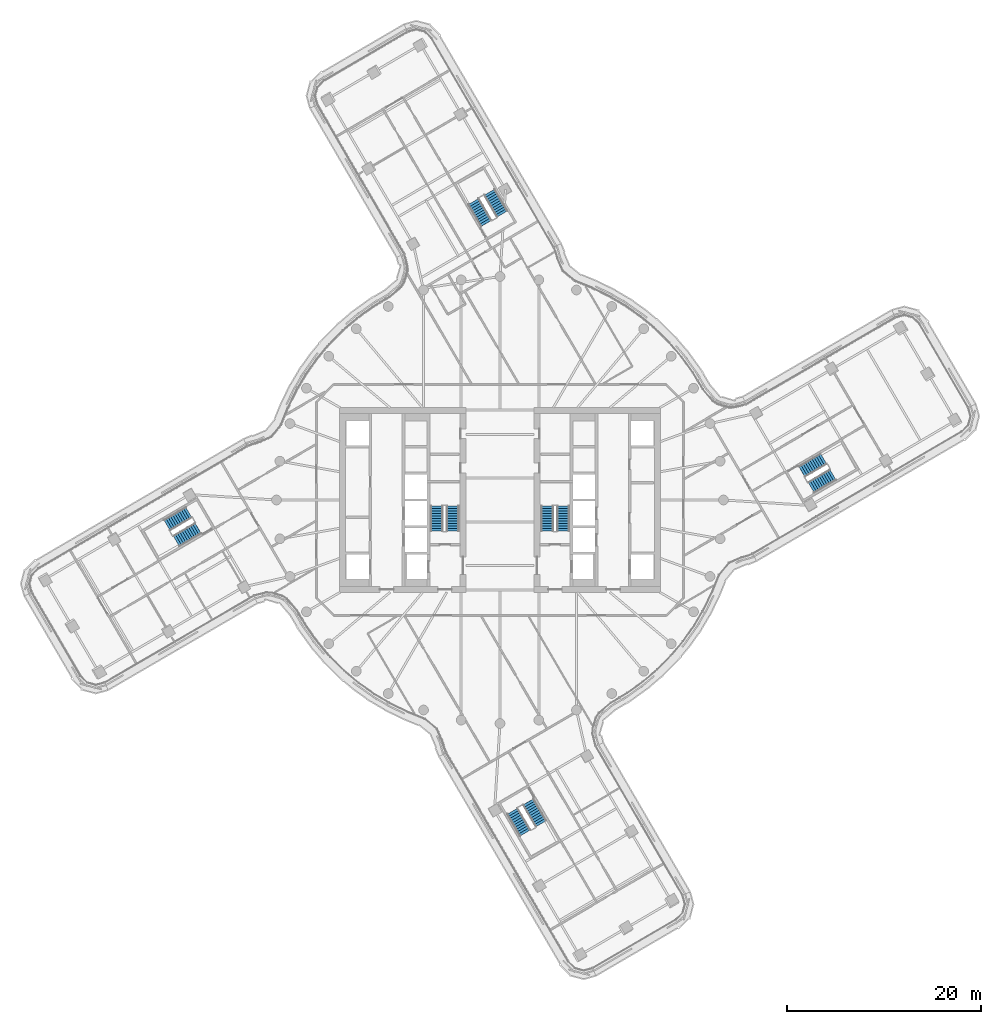
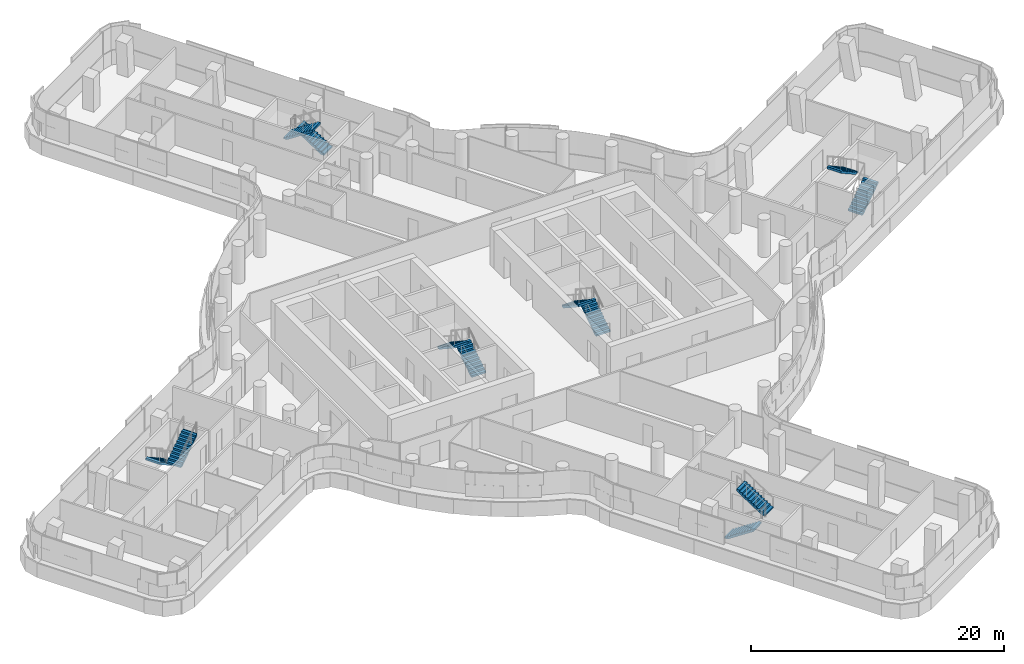
# One storey, part 26 of 35: 12 stair flights, 6 elements without a shape of their own.
"""IFC4 building model written with IfcOpenShell, lengths in metres."""

from ifc_helpers import new_model, si_unit, direction, frame, origin, place, context, subcontext, project, spatial, polyline, outline, extrude, material, type_object, element, aggregate, save


model = new_model("IFC4")

# Units and contexts
model_context = context("Model", 3, precision=1e-05, world=origin(), true_north=direction((0.0, 1.0)))
body_context = subcontext(model_context, "Body", "Model", "MODEL_VIEW")
ifc_project = project(units=[si_unit("LENGTHUNIT", "METRE"), si_unit("AREAUNIT", "SQUARE_METRE"), si_unit("VOLUMEUNIT", "CUBIC_METRE"), si_unit("PLANEANGLEUNIT", "RADIAN"), si_unit("MASSUNIT", "GRAM", prefix="KILO")], contexts=[model_context])

# Site, building, storey
site_placement = place(None, origin())
site = spatial("IfcSite", under=ifc_project, at=site_placement, CompositionType="ELEMENT")
building_placement = place(site_placement, origin())
building = spatial("IfcBuilding", under=site, at=building_placement, Name="Tamarind Cross Interchange Tower", CompositionType="ELEMENT")
storey_placement = place(building_placement, frame((0.0, 0.0, 144.25)))
storey = spatial("IfcBuildingStorey", under=building, at=storey_placement, Name="L35", CompositionType="ELEMENT", Elevation=144.25)

# Stair, stair flights
ifc_material_1 = material(Name="Exit stair")
stair_type = type_object("IfcStairType", Name="Exit stair", PredefinedType="HALF_TURN_STAIR", material=ifc_material_1)
stair_1_placement = place(storey_placement, origin())
stair_1 = element("IfcStair", 1, at=stair_1_placement, inside=storey, type_object=stair_type, Name="L35 exit stair ST1", PredefinedType="HALF_TURN_STAIR")
ifc_material_2 = material(Name="Exit stair flight")
stair_flight_type = type_object("IfcStairFlightType", Name="Exit stair flight", PredefinedType="STRAIGHT", material=ifc_material_2)
stair_flight_1_placement = place(storey_placement, frame((-4.85009765625, -3.199951171875, 0.0), z_axis=(0.0, 0.0, 1.0), x_axis=(0.0, 1.0, 0.0)))
stair_flight_1 = element("IfcStairFlight", 2, at=stair_flight_1_placement, type_object=stair_flight_type, Name="ST1 flight 1", NumberOfRisers=11, NumberOfTreads=10, PredefinedType="STRAIGHT", RiserHeight=0.170454545, TreadLength=0.26, context=body_context, shape_type="SweptSolid", body=[
    extrude(outline(polyline([(0.0, 0.0), (0.0, 0.17041015625), (0.260009765625, 0.17041015625), (0.260009765625, 0.3408203125), (0.52001953125, 0.3408203125), (0.52001953125, 0.511474609375), (0.780029296875, 0.511474609375), (0.780029296875, 0.681884765625), (1.0400390625, 0.681884765625), (1.0400390625, 0.852294921875), (1.300048828125, 0.852294921875), (1.300048828125, 1.022705078125), (1.56005859375, 1.022705078125), (1.56005859375, 1.193115234375), (1.820068359375, 1.193115234375), (1.820068359375, 1.363525390625), (2.080078125, 1.363525390625), (2.080078125, 1.5341796875), (2.340087890625, 1.5341796875), (2.340087890625, 1.70458984375), (2.60009765625, 1.70458984375), (2.60009765625, 1.875), (2.60009765625, 1.525390625), (0.2734375, 0.0), (0.0, 0.0)])), frame((0.0, 0.64990234375, 0.0), z_axis=(0.0, -1.0, 0.0), x_axis=(1.0, 0.0, 0.0)), (0.0, 0.0, 1.0), 1.300048828125),
])
stair_flight_2_placement = place(storey_placement, frame((-6.5, -0.60009765625, 1.875), z_axis=(0.0, 0.0, 1.0), x_axis=(0.0, -1.0, 0.0)))
stair_flight_2 = element("IfcStairFlight", 3, at=stair_flight_2_placement, type_object=stair_flight_type, Name="ST1 flight 2", NumberOfRisers=11, NumberOfTreads=10, PredefinedType="STRAIGHT", RiserHeight=0.170454545, TreadLength=0.26, context=body_context, shape_type="SweptSolid", body=[
    extrude(outline(polyline([(0.0, 0.0), (0.0, 0.17041015625), (0.260009765625, 0.17041015625), (0.260009765625, 0.3408203125), (0.52001953125, 0.3408203125), (0.52001953125, 0.511474609375), (0.780029296875, 0.511474609375), (0.780029296875, 0.681884765625), (1.0400390625, 0.681884765625), (1.0400390625, 0.852294921875), (1.300048828125, 0.852294921875), (1.300048828125, 1.022705078125), (1.56005859375, 1.022705078125), (1.56005859375, 1.193115234375), (1.820068359375, 1.193115234375), (1.820068359375, 1.363525390625), (2.080078125, 1.363525390625), (2.080078125, 1.5341796875), (2.340087890625, 1.5341796875), (2.340087890625, 1.70458984375), (2.60009765625, 1.70458984375), (2.60009765625, 1.7548828125), (2.612060546875, 1.7548828125), (2.612060546875, 1.533203125), (0.2734375, 0.0), (0.0, 0.0)])), frame((0.0, 0.64990234375, 0.0), z_axis=(0.0, -1.0, 0.0), x_axis=(1.0, 0.0, 0.0)), (0.0, 0.0, 1.0), 1.300048828125),
])
aggregate(stair_1, [stair_flight_1, stair_flight_2])

stair_2_placement = place(storey_placement, origin())
stair_2 = element("IfcStair", 4, at=stair_2_placement, inside=storey, type_object=stair_type, Name="L35 exit stair ST2", PredefinedType="HALF_TURN_STAIR")
stair_flight_3_placement = place(storey_placement, frame((6.5, -3.199951171875, 0.0), z_axis=(0.0, 0.0, 1.0), x_axis=(0.0, 1.0, 0.0)))
stair_flight_3 = element("IfcStairFlight", 5, at=stair_flight_3_placement, type_object=stair_flight_type, Name="ST2 flight 1", NumberOfRisers=11, NumberOfTreads=10, PredefinedType="STRAIGHT", RiserHeight=0.170454545, TreadLength=0.26, context=body_context, shape_type="SweptSolid", body=[
    extrude(outline(polyline([(0.0, 0.0), (0.0, 0.17041015625), (0.260009765625, 0.17041015625), (0.260009765625, 0.3408203125), (0.52001953125, 0.3408203125), (0.52001953125, 0.511474609375), (0.780029296875, 0.511474609375), (0.780029296875, 0.681884765625), (1.0400390625, 0.681884765625), (1.0400390625, 0.852294921875), (1.300048828125, 0.852294921875), (1.300048828125, 1.022705078125), (1.56005859375, 1.022705078125), (1.56005859375, 1.193115234375), (1.820068359375, 1.193115234375), (1.820068359375, 1.363525390625), (2.080078125, 1.363525390625), (2.080078125, 1.5341796875), (2.340087890625, 1.5341796875), (2.340087890625, 1.70458984375), (2.60009765625, 1.70458984375), (2.60009765625, 1.875), (2.60009765625, 1.525390625), (0.2734375, 0.0), (0.0, 0.0)])), frame((0.0, 0.64990234375, 0.0), z_axis=(0.0, -1.0, 0.0), x_axis=(1.0, 0.0, 0.0)), (0.0, 0.0, 1.0), 1.300048828125),
])
stair_flight_4_placement = place(storey_placement, frame((4.85009765625, -0.60009765625, 1.875), z_axis=(0.0, 0.0, 1.0), x_axis=(0.0, -1.0, 0.0)))
stair_flight_4 = element("IfcStairFlight", 6, at=stair_flight_4_placement, type_object=stair_flight_type, Name="ST2 flight 2", NumberOfRisers=11, NumberOfTreads=10, PredefinedType="STRAIGHT", RiserHeight=0.170454545, TreadLength=0.26, context=body_context, shape_type="SweptSolid", body=[
    extrude(outline(polyline([(0.0, 0.0), (0.0, 0.17041015625), (0.260009765625, 0.17041015625), (0.260009765625, 0.3408203125), (0.52001953125, 0.3408203125), (0.52001953125, 0.511474609375), (0.780029296875, 0.511474609375), (0.780029296875, 0.681884765625), (1.0400390625, 0.681884765625), (1.0400390625, 0.852294921875), (1.300048828125, 0.852294921875), (1.300048828125, 1.022705078125), (1.56005859375, 1.022705078125), (1.56005859375, 1.193115234375), (1.820068359375, 1.193115234375), (1.820068359375, 1.363525390625), (2.080078125, 1.363525390625), (2.080078125, 1.5341796875), (2.340087890625, 1.5341796875), (2.340087890625, 1.70458984375), (2.60009765625, 1.70458984375), (2.60009765625, 1.7548828125), (2.612060546875, 1.7548828125), (2.612060546875, 1.533203125), (0.2734375, 0.0), (0.0, 0.0)])), frame((0.0, 0.64990234375, 0.0), z_axis=(0.0, -1.0, 0.0), x_axis=(1.0, 0.0, 0.0)), (0.0, 0.0, 1.0), 1.300048828125),
])
aggregate(stair_2, [stair_flight_3, stair_flight_4])

stair_3_placement = place(storey_placement, origin())
stair_3 = element("IfcStair", 7, at=stair_3_placement, inside=storey, type_object=stair_type, Name="L35 exit stair ST3", PredefinedType="HALF_TURN_STAIR")
stair_flight_5_placement = place(storey_placement, frame((32.0224609375, 1.281494140625, 0.0), z_axis=(0.0, 0.0, 1.0), x_axis=(0.863402595057, 0.50451556849, 0.0)))
stair_flight_5 = element("IfcStairFlight", 8, at=stair_flight_5_placement, type_object=stair_flight_type, Name="ST3 flight 1", NumberOfRisers=11, NumberOfTreads=10, PredefinedType="STRAIGHT", RiserHeight=0.170454545, TreadLength=0.26, context=body_context, shape_type="SweptSolid", body=[
    extrude(outline(polyline([(0.0, 0.0), (0.0, 0.17041015625), (0.260009765625, 0.17041015625), (0.260009765625, 0.3408203125), (0.52001953125, 0.3408203125), (0.52001953125, 0.511474609375), (0.780029296875, 0.511474609375), (0.780029296875, 0.681884765625), (1.0400390625, 0.681884765625), (1.0400390625, 0.852294921875), (1.300048828125, 0.852294921875), (1.300048828125, 1.022705078125), (1.56005859375, 1.022705078125), (1.56005859375, 1.193115234375), (1.820068359375, 1.193115234375), (1.820068359375, 1.363525390625), (2.080078125, 1.363525390625), (2.080078125, 1.5341796875), (2.340087890625, 1.5341796875), (2.340087890625, 1.70458984375), (2.60009765625, 1.70458984375), (2.60009765625, 1.875), (2.60009765625, 1.525390625), (0.2734375, 0.0), (0.0, 0.0)])), frame((0.0, 0.64990234375, 0.0), z_axis=(0.0, -1.0, 0.0), x_axis=(1.0, 0.0, 0.0)), (0.0, 0.0, 1.0), 1.300048828125),
])
stair_flight_6_placement = place(storey_placement, frame((33.308837890625, 4.233642578125, 1.875), z_axis=(0.0, 0.0, 1.0), x_axis=(-0.863402595057, -0.50451556849, 0.0)))
stair_flight_6 = element("IfcStairFlight", 9, at=stair_flight_6_placement, type_object=stair_flight_type, Name="ST3 flight 2", NumberOfRisers=11, NumberOfTreads=10, PredefinedType="STRAIGHT", RiserHeight=0.170454545, TreadLength=0.26, context=body_context, shape_type="SweptSolid", body=[
    extrude(outline(polyline([(0.0, 0.0), (0.0, 0.17041015625), (0.260009765625, 0.17041015625), (0.260009765625, 0.3408203125), (0.52001953125, 0.3408203125), (0.52001953125, 0.511474609375), (0.780029296875, 0.511474609375), (0.780029296875, 0.681884765625), (1.0400390625, 0.681884765625), (1.0400390625, 0.852294921875), (1.300048828125, 0.852294921875), (1.300048828125, 1.022705078125), (1.56005859375, 1.022705078125), (1.56005859375, 1.193115234375), (1.820068359375, 1.193115234375), (1.820068359375, 1.363525390625), (2.080078125, 1.363525390625), (2.080078125, 1.5341796875), (2.340087890625, 1.5341796875), (2.340087890625, 1.70458984375), (2.60009765625, 1.70458984375), (2.60009765625, 1.7548828125), (2.612060546875, 1.7548828125), (2.612060546875, 1.533203125), (0.2734375, 0.0), (0.0, 0.0)])), frame((0.0, 0.64990234375, 0.0), z_axis=(0.0, -1.0, 0.0), x_axis=(1.0, 0.0, 0.0)), (0.0, 0.0, 1.0), 1.300048828125),
])
aggregate(stair_3, [stair_flight_5, stair_flight_6])

stair_4_placement = place(storey_placement, origin())
stair_4 = element("IfcStair", 10, at=stair_4_placement, inside=storey, type_object=stair_type, Name="L35 exit stair ST4", PredefinedType="HALF_TURN_STAIR")
stair_flight_7_placement = place(storey_placement, frame((0.23193359375, 29.432373046875, 0.0), z_axis=(0.0, 0.0, 1.0), x_axis=(-0.50451556849, 0.863402595057, 0.0)))
stair_flight_7 = element("IfcStairFlight", 11, at=stair_flight_7_placement, type_object=stair_flight_type, Name="ST4 flight 1", NumberOfRisers=11, NumberOfTreads=10, PredefinedType="STRAIGHT", RiserHeight=0.170454545, TreadLength=0.26, context=body_context, shape_type="SweptSolid", body=[
    extrude(outline(polyline([(0.0, 0.0), (0.0, 0.17041015625), (0.260009765625, 0.17041015625), (0.260009765625, 0.3408203125), (0.52001953125, 0.3408203125), (0.52001953125, 0.511474609375), (0.780029296875, 0.511474609375), (0.780029296875, 0.681884765625), (1.0400390625, 0.681884765625), (1.0400390625, 0.852294921875), (1.300048828125, 0.852294921875), (1.300048828125, 1.022705078125), (1.56005859375, 1.022705078125), (1.56005859375, 1.193115234375), (1.820068359375, 1.193115234375), (1.820068359375, 1.363525390625), (2.080078125, 1.363525390625), (2.080078125, 1.5341796875), (2.340087890625, 1.5341796875), (2.340087890625, 1.70458984375), (2.60009765625, 1.70458984375), (2.60009765625, 1.875), (2.60009765625, 1.525390625), (0.2734375, 0.0), (0.0, 0.0)])), frame((0.0, 0.64990234375, 0.0), z_axis=(0.0, -1.0, 0.0), x_axis=(1.0, 0.0, 0.0)), (0.0, 0.0, 1.0), 1.300048828125),
])
stair_flight_8_placement = place(storey_placement, frame((-2.72021484375, 30.718505859375, 1.875), z_axis=(0.0, 0.0, 1.0), x_axis=(0.50451556849, -0.863402595057, 0.0)))
stair_flight_8 = element("IfcStairFlight", 12, at=stair_flight_8_placement, type_object=stair_flight_type, Name="ST4 flight 2", NumberOfRisers=11, NumberOfTreads=10, PredefinedType="STRAIGHT", RiserHeight=0.170454545, TreadLength=0.26, context=body_context, shape_type="SweptSolid", body=[
    extrude(outline(polyline([(0.0, 0.0), (0.0, 0.17041015625), (0.260009765625, 0.17041015625), (0.260009765625, 0.3408203125), (0.52001953125, 0.3408203125), (0.52001953125, 0.511474609375), (0.780029296875, 0.511474609375), (0.780029296875, 0.681884765625), (1.0400390625, 0.681884765625), (1.0400390625, 0.852294921875), (1.300048828125, 0.852294921875), (1.300048828125, 1.022705078125), (1.56005859375, 1.022705078125), (1.56005859375, 1.193115234375), (1.820068359375, 1.193115234375), (1.820068359375, 1.363525390625), (2.080078125, 1.363525390625), (2.080078125, 1.5341796875), (2.340087890625, 1.5341796875), (2.340087890625, 1.70458984375), (2.60009765625, 1.70458984375), (2.60009765625, 1.7548828125), (2.612060546875, 1.7548828125), (2.612060546875, 1.533203125), (0.2734375, 0.0), (0.0, 0.0)])), frame((0.0, 0.64990234375, 0.0), z_axis=(0.0, -1.0, 0.0), x_axis=(1.0, 0.0, 0.0)), (0.0, 0.0, 1.0), 1.300048828125),
])
aggregate(stair_4, [stair_flight_7, stair_flight_8])

stair_5_placement = place(storey_placement, origin())
stair_5 = element("IfcStair", 13, at=stair_5_placement, inside=storey, type_object=stair_type, Name="L35 exit stair ST5", PredefinedType="HALF_TURN_STAIR")
stair_flight_9_placement = place(storey_placement, frame((-32.0224609375, -1.281494140625, 0.0), z_axis=(0.0, 0.0, 1.0), x_axis=(-0.863402595057, -0.50451556849, 0.0)))
stair_flight_9 = element("IfcStairFlight", 14, at=stair_flight_9_placement, type_object=stair_flight_type, Name="ST5 flight 1", NumberOfRisers=11, NumberOfTreads=10, PredefinedType="STRAIGHT", RiserHeight=0.170454545, TreadLength=0.26, context=body_context, shape_type="SweptSolid", body=[
    extrude(outline(polyline([(0.0, 0.0), (0.0, 0.17041015625), (0.260009765625, 0.17041015625), (0.260009765625, 0.3408203125), (0.52001953125, 0.3408203125), (0.52001953125, 0.511474609375), (0.780029296875, 0.511474609375), (0.780029296875, 0.681884765625), (1.0400390625, 0.681884765625), (1.0400390625, 0.852294921875), (1.300048828125, 0.852294921875), (1.300048828125, 1.022705078125), (1.56005859375, 1.022705078125), (1.56005859375, 1.193115234375), (1.820068359375, 1.193115234375), (1.820068359375, 1.363525390625), (2.080078125, 1.363525390625), (2.080078125, 1.5341796875), (2.340087890625, 1.5341796875), (2.340087890625, 1.70458984375), (2.60009765625, 1.70458984375), (2.60009765625, 1.875), (2.60009765625, 1.525390625), (0.2734375, 0.0), (0.0, 0.0)])), frame((0.0, 0.64990234375, 0.0), z_axis=(0.0, -1.0, 0.0), x_axis=(1.0, 0.0, 0.0)), (0.0, 0.0, 1.0), 1.300048828125),
])
stair_flight_10_placement = place(storey_placement, frame((-33.308837890625, -4.233642578125, 1.875), z_axis=(0.0, 0.0, 1.0), x_axis=(0.863402595057, 0.50451556849, 0.0)))
stair_flight_10 = element("IfcStairFlight", 15, at=stair_flight_10_placement, type_object=stair_flight_type, Name="ST5 flight 2", NumberOfRisers=11, NumberOfTreads=10, PredefinedType="STRAIGHT", RiserHeight=0.170454545, TreadLength=0.26, context=body_context, shape_type="SweptSolid", body=[
    extrude(outline(polyline([(0.0, 0.0), (0.0, 0.17041015625), (0.260009765625, 0.17041015625), (0.260009765625, 0.3408203125), (0.52001953125, 0.3408203125), (0.52001953125, 0.511474609375), (0.780029296875, 0.511474609375), (0.780029296875, 0.681884765625), (1.0400390625, 0.681884765625), (1.0400390625, 0.852294921875), (1.300048828125, 0.852294921875), (1.300048828125, 1.022705078125), (1.56005859375, 1.022705078125), (1.56005859375, 1.193115234375), (1.820068359375, 1.193115234375), (1.820068359375, 1.363525390625), (2.080078125, 1.363525390625), (2.080078125, 1.5341796875), (2.340087890625, 1.5341796875), (2.340087890625, 1.70458984375), (2.60009765625, 1.70458984375), (2.60009765625, 1.7548828125), (2.612060546875, 1.7548828125), (2.612060546875, 1.533203125), (0.2734375, 0.0), (0.0, 0.0)])), frame((0.0, 0.64990234375, 0.0), z_axis=(0.0, -1.0, 0.0), x_axis=(1.0, 0.0, 0.0)), (0.0, 0.0, 1.0), 1.300048828125),
])
aggregate(stair_5, [stair_flight_9, stair_flight_10])

stair_6_placement = place(storey_placement, origin())
stair_6 = element("IfcStair", 16, at=stair_6_placement, inside=storey, type_object=stair_type, Name="L35 exit stair ST6", PredefinedType="HALF_TURN_STAIR")
stair_flight_11_placement = place(storey_placement, frame((1.281494140625, -32.0224609375, 0.0), z_axis=(0.0, 0.0, 1.0), x_axis=(0.50451556849, -0.863402595057, 0.0)))
stair_flight_11 = element("IfcStairFlight", 17, at=stair_flight_11_placement, type_object=stair_flight_type, Name="ST6 flight 1", NumberOfRisers=11, NumberOfTreads=10, PredefinedType="STRAIGHT", RiserHeight=0.170454545, TreadLength=0.26, context=body_context, shape_type="SweptSolid", body=[
    extrude(outline(polyline([(0.0, 0.0), (0.0, 0.17041015625), (0.260009765625, 0.17041015625), (0.260009765625, 0.3408203125), (0.52001953125, 0.3408203125), (0.52001953125, 0.511474609375), (0.780029296875, 0.511474609375), (0.780029296875, 0.681884765625), (1.0400390625, 0.681884765625), (1.0400390625, 0.852294921875), (1.300048828125, 0.852294921875), (1.300048828125, 1.022705078125), (1.56005859375, 1.022705078125), (1.56005859375, 1.193115234375), (1.820068359375, 1.193115234375), (1.820068359375, 1.363525390625), (2.080078125, 1.363525390625), (2.080078125, 1.5341796875), (2.340087890625, 1.5341796875), (2.340087890625, 1.70458984375), (2.60009765625, 1.70458984375), (2.60009765625, 1.875), (2.60009765625, 1.525390625), (0.2734375, 0.0), (0.0, 0.0)])), frame((0.0, 0.64990234375, 0.0), z_axis=(0.0, -1.0, 0.0), x_axis=(1.0, 0.0, 0.0)), (0.0, 0.0, 1.0), 1.300048828125),
])
stair_flight_12_placement = place(storey_placement, frame((4.233642578125, -33.308837890625, 1.875), z_axis=(0.0, 0.0, 1.0), x_axis=(-0.50451556849, 0.863402595057, 0.0)))
stair_flight_12 = element("IfcStairFlight", 18, at=stair_flight_12_placement, type_object=stair_flight_type, Name="ST6 flight 2", NumberOfRisers=11, NumberOfTreads=10, PredefinedType="STRAIGHT", RiserHeight=0.170454545, TreadLength=0.26, context=body_context, shape_type="SweptSolid", body=[
    extrude(outline(polyline([(0.0, 0.0), (0.0, 0.17041015625), (0.260009765625, 0.17041015625), (0.260009765625, 0.3408203125), (0.52001953125, 0.3408203125), (0.52001953125, 0.511474609375), (0.780029296875, 0.511474609375), (0.780029296875, 0.681884765625), (1.0400390625, 0.681884765625), (1.0400390625, 0.852294921875), (1.300048828125, 0.852294921875), (1.300048828125, 1.022705078125), (1.56005859375, 1.022705078125), (1.56005859375, 1.193115234375), (1.820068359375, 1.193115234375), (1.820068359375, 1.363525390625), (2.080078125, 1.363525390625), (2.080078125, 1.5341796875), (2.340087890625, 1.5341796875), (2.340087890625, 1.70458984375), (2.60009765625, 1.70458984375), (2.60009765625, 1.7548828125), (2.612060546875, 1.7548828125), (2.612060546875, 1.533203125), (0.2734375, 0.0), (0.0, 0.0)])), frame((0.0, 0.64990234375, 0.0), z_axis=(0.0, -1.0, 0.0), x_axis=(1.0, 0.0, 0.0)), (0.0, 0.0, 1.0), 1.300048828125),
])
aggregate(stair_6, [stair_flight_11, stair_flight_12])

save(model, "model.ifc")
